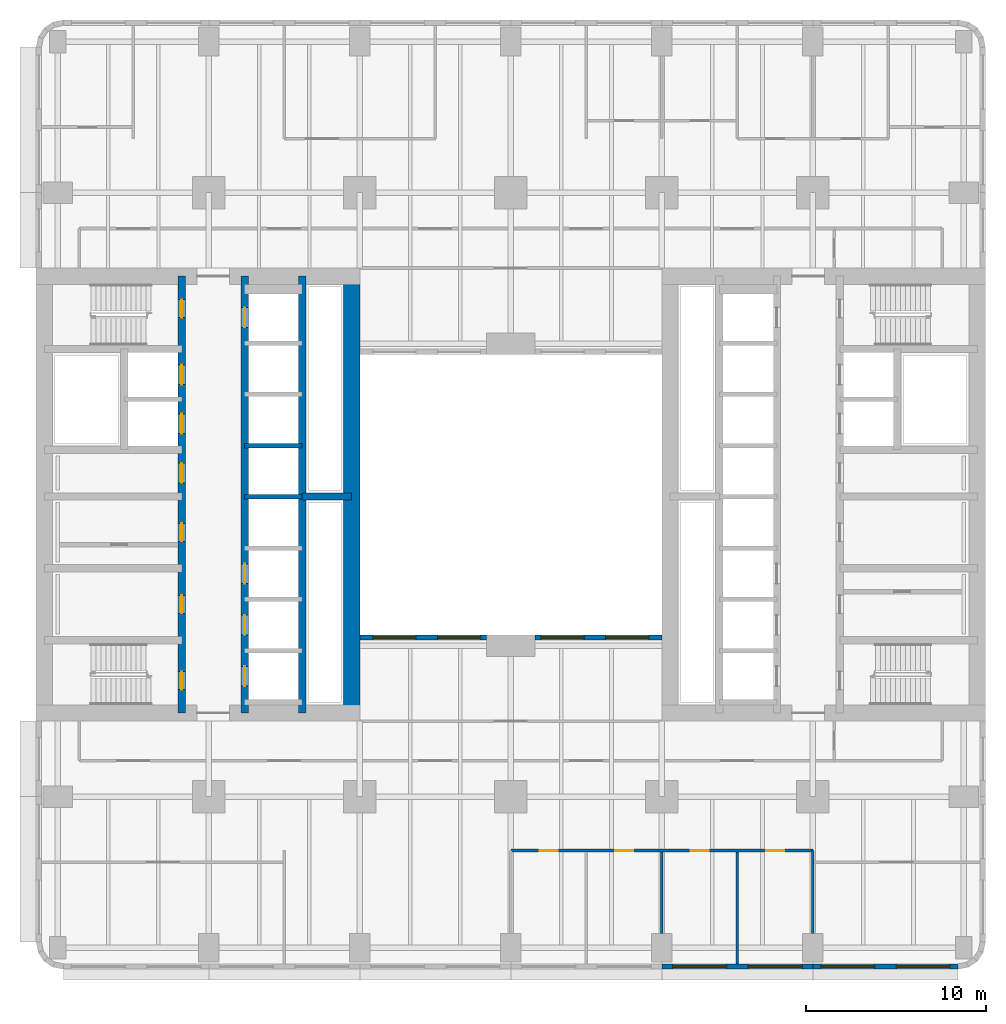
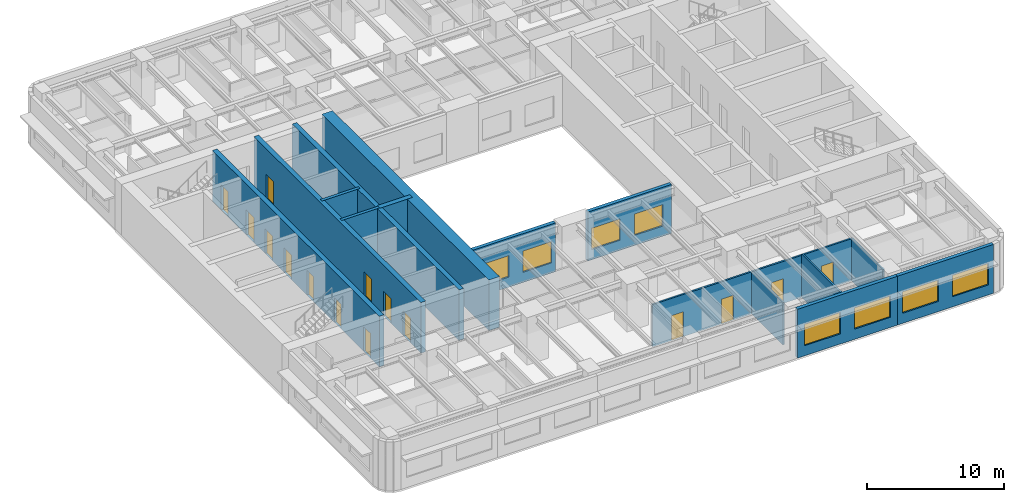
# One storey, part 4 of 14: 15 doors, 15 walls, 8 windows, 23 openings.
"""IFC4 building model written with IfcOpenShell, lengths in metres."""

from ifc_helpers import new_model, si_unit, direction, frame, frame_2d, origin, place, context, subcontext, project, spatial, rectangle, extrude, material, layer, layer_set, type_object, element, fill, save


model = new_model("IFC4")

# Units and contexts
model_context = context("Model", 3, precision=1e-05, world=origin(), true_north=direction((0.0, 1.0)))
body_context = subcontext(model_context, "Body", "Model", "MODEL_VIEW")
ifc_project = project(units=[si_unit("LENGTHUNIT", "METRE"), si_unit("AREAUNIT", "SQUARE_METRE"), si_unit("VOLUMEUNIT", "CUBIC_METRE"), si_unit("PLANEANGLEUNIT", "RADIAN"), si_unit("MASSUNIT", "GRAM", prefix="KILO")], contexts=[model_context])

# Site, building, storey
site_placement = place(None, origin())
site = spatial("IfcSite", under=ifc_project, at=site_placement, CompositionType="ELEMENT")
building_placement = place(site_placement, origin())
building = spatial("IfcBuilding", under=site, at=building_placement, Name="Claustro Exchange Tower", CompositionType="ELEMENT")
storey_placement = place(building_placement, frame((0.0, 0.0, 41.39990234375)))
storey = spatial("IfcBuildingStorey", under=building, at=storey_placement, Name="L09", CompositionType="ELEMENT", Elevation=41.39990234375)

# Wall, openings, doors
ifc_material_1 = material(Name="Gypsum board on steel studs", Category="steel")
ifc_layer_1 = layer(ifc_material_1, 0.14990234375)
ifc_layer_set_1 = layer_set([ifc_layer_1], Name="Gypsum board on steel studs")
wall_type_1 = type_object("IfcWallType", Name="P1 150 plasterboard partition", PredefinedType="PARTITIONING", material=ifc_layer_set_1)
wall_1_placement = place(storey_placement, frame((25.199951171875, 5.39990234375, 0.0), z_axis=(0.0, 0.0, 1.0), x_axis=(1.0, 0.0, 0.0)))
wall_1 = element("IfcWall", 1, at=wall_1_placement, inside=storey, type_object=wall_type_1, Name="Partition P1 L09", PredefinedType="PARTITIONING", context=body_context, shape_type="SweptSolid", body=[
    extrude(rectangle(XDim=16.800048828125, YDim=0.14990234375, at=frame_2d((8.39990234375, 0.0))), origin(), (0.0, 0.0, 1.0), 3.739990234375),
])
opening_1_placement = place(wall_1_placement, frame((1.60009765625, 0.0, 0.0)))
opening_1 = element("IfcOpeningElement", 2, at=opening_1_placement, cuts=wall_1, Name="Opening D1", PredefinedType="OPENING", context=body_context, shape_type="SweptSolid", body=[
    extrude(rectangle(XDim=1.0, YDim=2.199951171875, at=frame_2d((0.5, 1.10009765625))), frame((0.0, 0.0849609375, 0.0), z_axis=(0.0, -1.0, 0.0), x_axis=(1.0, 0.0, 0.0)), (0.0, 0.0, 1.0), 0.169921875),
])
opening_2_placement = place(wall_1_placement, frame((5.800048828125, 0.0, 0.0)))
opening_2 = element("IfcOpeningElement", 3, at=opening_2_placement, cuts=wall_1, Name="Opening D1", PredefinedType="OPENING", context=body_context, shape_type="SweptSolid", body=[
    extrude(rectangle(XDim=1.0, YDim=2.199951171875, at=frame_2d((0.5, 1.10009765625))), frame((0.0, 0.0849609375, 0.0), z_axis=(0.0, -1.0, 0.0), x_axis=(1.0, 0.0, 0.0)), (0.0, 0.0, 1.0), 0.169921875),
])
opening_3_placement = place(wall_1_placement, frame((10.0, 0.0, 0.0)))
opening_3 = element("IfcOpeningElement", 4, at=opening_3_placement, cuts=wall_1, Name="Opening D1", PredefinedType="OPENING", context=body_context, shape_type="SweptSolid", body=[
    extrude(rectangle(XDim=1.0, YDim=2.199951171875, at=frame_2d((0.5, 1.10009765625))), frame((0.0, 0.0849609375, 0.0), z_axis=(0.0, -1.0, 0.0), x_axis=(1.0, 0.0, 0.0)), (0.0, 0.0, 1.0), 0.169921875),
])
opening_4_placement = place(wall_1_placement, frame((14.199951171875, 0.0, 0.0)))
opening_4 = element("IfcOpeningElement", 5, at=opening_4_placement, cuts=wall_1, Name="Opening D1", PredefinedType="OPENING", context=body_context, shape_type="SweptSolid", body=[
    extrude(rectangle(XDim=1.0, YDim=2.199951171875, at=frame_2d((0.5, 1.10009765625))), frame((0.0, 0.0849609375, 0.0), z_axis=(0.0, -1.0, 0.0), x_axis=(1.0, 0.0, 0.0)), (0.0, 0.0, 1.0), 0.169921875),
])
ifc_material_2 = material(Name="Timber door, oak veneer", Category="wood")
door_type_1 = type_object("IfcDoorType", Name="D1 1000 x 2200 single door", OperationType="SINGLE_SWING_LEFT", PredefinedType="DOOR", material=ifc_material_2)
door_1_placement = place(opening_1_placement, frame((1.0, 0.0, 0.0), z_axis=(0.0, 0.0, 1.0), x_axis=(-1.0, 0.0, 0.0)))
door_1 = element("IfcDoor", 6, at=door_1_placement, inside=storey, type_object=door_type_1, Name="Door D1 L09", OperationType="SINGLE_SWING_LEFT", OverallHeight=2.199951171875, OverallWidth=1.0, PredefinedType="DOOR", context=body_context, shape_type="SweptSolid", body=[
    extrude(rectangle(XDim=1.0, YDim=2.199951171875, at=frame_2d((0.5, 1.10009765625))), frame((0.0, 0.02490234375, 0.0), z_axis=(0.0, -1.0, 0.0), x_axis=(1.0, 0.0, 0.0)), (0.0, 0.0, 1.0), 0.050048828125),
])
fill(opening_1, door_1)
door_2_placement = place(opening_2_placement, frame((1.0, 0.0, 0.0), z_axis=(0.0, 0.0, 1.0), x_axis=(-1.0, 0.0, 0.0)))
door_2 = element("IfcDoor", 7, at=door_2_placement, inside=storey, type_object=door_type_1, Name="Door D1 L09", OperationType="SINGLE_SWING_RIGHT", OverallHeight=2.199951171875, OverallWidth=1.0, PredefinedType="DOOR", context=body_context, shape_type="SweptSolid", body=[
    extrude(rectangle(XDim=1.0, YDim=2.199951171875, at=frame_2d((0.5, 1.10009765625))), frame((0.0, 0.02490234375, 0.0), z_axis=(0.0, -1.0, 0.0), x_axis=(1.0, 0.0, 0.0)), (0.0, 0.0, 1.0), 0.050048828125),
])
fill(opening_2, door_2)
door_3_placement = place(opening_3_placement, frame((1.0, 0.0, 0.0), z_axis=(0.0, 0.0, 1.0), x_axis=(-1.0, 0.0, 0.0)))
door_3 = element("IfcDoor", 8, at=door_3_placement, inside=storey, type_object=door_type_1, Name="Door D1 L09", OperationType="SINGLE_SWING_RIGHT", OverallHeight=2.199951171875, OverallWidth=1.0, PredefinedType="DOOR", context=body_context, shape_type="SweptSolid", body=[
    extrude(rectangle(XDim=1.0, YDim=2.199951171875, at=frame_2d((0.5, 1.10009765625))), frame((0.0, 0.02490234375, 0.0), z_axis=(0.0, -1.0, 0.0), x_axis=(1.0, 0.0, 0.0)), (0.0, 0.0, 1.0), 0.050048828125),
])
fill(opening_3, door_3)
door_4_placement = place(opening_4_placement, frame((1.0, 0.0, 0.0), z_axis=(0.0, 0.0, 1.0), x_axis=(-1.0, 0.0, 0.0)))
door_4 = element("IfcDoor", 9, at=door_4_placement, inside=storey, type_object=door_type_1, Name="Door D1 L09", OperationType="SINGLE_SWING_RIGHT", OverallHeight=2.199951171875, OverallWidth=1.0, PredefinedType="DOOR", context=body_context, shape_type="SweptSolid", body=[
    extrude(rectangle(XDim=1.0, YDim=2.199951171875, at=frame_2d((0.5, 1.10009765625))), frame((0.0, 0.02490234375, 0.0), z_axis=(0.0, -1.0, 0.0), x_axis=(1.0, 0.0, 0.0)), (0.0, 0.0, 1.0), 0.050048828125),
])
fill(opening_4, door_4)

# Walls
wall_2_placement = place(storey_placement, frame((33.60009765625, 0.799072265625, 0.0), z_axis=(0.0, 0.0, 1.0), x_axis=(0.0, 1.0, 0.0)))
element("IfcWall", 10, at=wall_2_placement, inside=storey, type_object=wall_type_1, Name="Partition P1 L09", PredefinedType="PARTITIONING", context=body_context, shape_type="SweptSolid", body=[
    extrude(rectangle(XDim=4.52685546875, YDim=0.14990234375, at=frame_2d((2.263427734375, 0.0))), origin(), (0.0, 0.0, 1.0), 3.739990234375),
])
wall_3_placement = place(storey_placement, frame((37.800048828125, -0.902099609375, 0.0), z_axis=(0.0, 0.0, 1.0), x_axis=(0.0, 1.0, 0.0)))
element("IfcWall", 11, at=wall_3_placement, inside=storey, type_object=wall_type_1, Name="Partition P1 L09", PredefinedType="PARTITIONING", context=body_context, shape_type="SweptSolid", body=[
    extrude(rectangle(XDim=6.22802734375, YDim=0.14990234375, at=frame_2d((3.114013671875, 0.0))), origin(), (0.0, 0.0, 1.0), 3.840087890625),
])
wall_4_placement = place(storey_placement, frame((42.0, 0.799072265625, 0.0), z_axis=(0.0, 0.0, 1.0), x_axis=(0.0, 1.0, 0.0)))
element("IfcWall", 12, at=wall_4_placement, inside=storey, type_object=wall_type_1, Name="Partition P1 L09", PredefinedType="PARTITIONING", context=body_context, shape_type="SweptSolid", body=[
    extrude(rectangle(XDim=4.600830078125, YDim=0.14990234375, at=frame_2d((2.30029296875, 0.0))), origin(), (0.0, 0.0, 1.0), 3.739990234375),
])

# Wall, openings, windows
ifc_material_3 = material(Name="Concrete HA-40 (C40/50), precast, white cement, acid-etched", Category="concrete")
ifc_layer_2 = layer(ifc_material_3, 0.300048828125)
ifc_layer_set_2 = layer_set([ifc_layer_2], Name="Concrete HA-40 (C40/50), precast, white cement, acid-etched")
wall_type_2 = type_object("IfcWallType", Name="PC1 300 precast concrete pier panel", PredefinedType="SOLIDWALL", material=ifc_layer_set_2)
wall_5_placement = place(storey_placement, frame((50.085205078125, -1.050048828125, 0.0), z_axis=(0.0, 0.0, 1.0), x_axis=(-1.0, 0.0, 0.0)))
wall_5 = element("IfcWall", 13, at=wall_5_placement, inside=storey, type_object=wall_type_2, Name="Precast pier panel PC1 L09", PredefinedType="SOLIDWALL", context=body_context, shape_type="SweptSolid", body=[
    extrude(rectangle(XDim=8.085205078125, YDim=0.300048828125, at=frame_2d((4.04248046875, 0.0))), origin(), (0.0, 0.0, 1.0), 4.340087890625),
])
opening_5_placement = place(wall_5_placement, frame((0.442626953125, 0.0, 0.89990234375)))
opening_5 = element("IfcOpeningElement", 14, at=opening_5_placement, cuts=wall_5, Name="Opening W1", PredefinedType="OPENING", context=body_context, shape_type="SweptSolid", body=[
    extrude(rectangle(XDim=3.0, YDim=1.89990234375, at=frame_2d((1.5, 0.949951171875))), frame((0.0, 0.159912109375, 0.0), z_axis=(0.0, -1.0, 0.0), x_axis=(1.0, 0.0, 0.0)), (0.0, 0.0, 1.0), 0.320068359375),
])
opening_6_placement = place(wall_5_placement, frame((4.642578125, 0.0, 0.89990234375)))
opening_6 = element("IfcOpeningElement", 15, at=opening_6_placement, cuts=wall_5, Name="Opening W1", PredefinedType="OPENING", context=body_context, shape_type="SweptSolid", body=[
    extrude(rectangle(XDim=3.0, YDim=1.89990234375, at=frame_2d((1.5, 0.949951171875))), frame((0.0, 0.159912109375, 0.0), z_axis=(0.0, -1.0, 0.0), x_axis=(1.0, 0.0, 0.0)), (0.0, 0.0, 1.0), 0.320068359375),
])
ifc_material_4 = material(Name="Aluminium frame, clear double glazing", Category="aluminium")
window_type_1 = type_object("IfcWindowType", Name="W1 3000 x 1900 window", PartitioningType="SINGLE_PANEL", PredefinedType="WINDOW", material=ifc_material_4)
window_1_placement = place(opening_5_placement, origin())
window_1 = element("IfcWindow", 16, at=window_1_placement, inside=storey, type_object=window_type_1, Name="Window W1 L09", OverallHeight=1.89990234375, OverallWidth=3.0, PartitioningType="SINGLE_PANEL", PredefinedType="WINDOW", context=body_context, shape_type="SweptSolid", body=[
    extrude(rectangle(XDim=3.0, YDim=1.89990234375, at=frame_2d((1.5, 0.949951171875))), frame((0.0, 0.030029296875, 0.0), z_axis=(0.0, -1.0, 0.0), x_axis=(1.0, 0.0, 0.0)), (0.0, 0.0, 1.0), 0.06005859375),
])
fill(opening_5, window_1)
window_2_placement = place(opening_6_placement, origin())
window_2 = element("IfcWindow", 17, at=window_2_placement, inside=storey, type_object=window_type_1, Name="Window W1 L09", OverallHeight=1.89990234375, OverallWidth=3.0, PartitioningType="SINGLE_PANEL", PredefinedType="WINDOW", context=body_context, shape_type="SweptSolid", body=[
    extrude(rectangle(XDim=3.0, YDim=1.89990234375, at=frame_2d((1.5, 0.949951171875))), frame((0.0, 0.030029296875, 0.0), z_axis=(0.0, -1.0, 0.0), x_axis=(1.0, 0.0, 0.0)), (0.0, 0.0, 1.0), 0.06005859375),
])
fill(opening_6, window_2)

wall_6_placement = place(storey_placement, frame((42.0, -1.050048828125, 0.0), z_axis=(0.0, 0.0, 1.0), x_axis=(-1.0, 0.0, 0.0)))
wall_6 = element("IfcWall", 18, at=wall_6_placement, inside=storey, type_object=wall_type_2, Name="Precast pier panel PC1 L09", PredefinedType="SOLIDWALL", context=body_context, shape_type="SweptSolid", body=[
    extrude(rectangle(XDim=8.39990234375, YDim=0.300048828125, at=frame_2d((4.199951171875, 0.0))), origin(), (0.0, 0.0, 1.0), 4.340087890625),
])
opening_7_placement = place(wall_6_placement, frame((0.60009765625, 0.0, 0.89990234375)))
opening_7 = element("IfcOpeningElement", 19, at=opening_7_placement, cuts=wall_6, Name="Opening W1", PredefinedType="OPENING", context=body_context, shape_type="SweptSolid", body=[
    extrude(rectangle(XDim=3.0, YDim=1.89990234375, at=frame_2d((1.5, 0.949951171875))), frame((0.0, 0.159912109375, 0.0), z_axis=(0.0, -1.0, 0.0), x_axis=(1.0, 0.0, 0.0)), (0.0, 0.0, 1.0), 0.320068359375),
])
opening_8_placement = place(wall_6_placement, frame((4.800048828125, 0.0, 0.89990234375)))
opening_8 = element("IfcOpeningElement", 20, at=opening_8_placement, cuts=wall_6, Name="Opening W1", PredefinedType="OPENING", context=body_context, shape_type="SweptSolid", body=[
    extrude(rectangle(XDim=3.0, YDim=1.89990234375, at=frame_2d((1.5, 0.949951171875))), frame((0.0, 0.159912109375, 0.0), z_axis=(0.0, -1.0, 0.0), x_axis=(1.0, 0.0, 0.0)), (0.0, 0.0, 1.0), 0.320068359375),
])
window_3_placement = place(opening_7_placement, origin())
window_3 = element("IfcWindow", 21, at=window_3_placement, inside=storey, type_object=window_type_1, Name="Window W1 L09", OverallHeight=1.89990234375, OverallWidth=3.0, PartitioningType="SINGLE_PANEL", PredefinedType="WINDOW", context=body_context, shape_type="SweptSolid", body=[
    extrude(rectangle(XDim=3.0, YDim=1.89990234375, at=frame_2d((1.5, 0.949951171875))), frame((0.0, 0.030029296875, 0.0), z_axis=(0.0, -1.0, 0.0), x_axis=(1.0, 0.0, 0.0)), (0.0, 0.0, 1.0), 0.06005859375),
])
fill(opening_7, window_3)
window_4_placement = place(opening_8_placement, origin())
window_4 = element("IfcWindow", 22, at=window_4_placement, inside=storey, type_object=window_type_1, Name="Window W1 L09", OverallHeight=1.89990234375, OverallWidth=3.0, PartitioningType="SINGLE_PANEL", PredefinedType="WINDOW", context=body_context, shape_type="SweptSolid", body=[
    extrude(rectangle(XDim=3.0, YDim=1.89990234375, at=frame_2d((1.5, 0.949951171875))), frame((0.0, 0.030029296875, 0.0), z_axis=(0.0, -1.0, 0.0), x_axis=(1.0, 0.0, 0.0)), (0.0, 0.0, 1.0), 0.06005859375),
])
fill(opening_8, window_4)

wall_7_placement = place(storey_placement, frame((16.800048828125, 17.25, 0.0), z_axis=(0.0, 0.0, 1.0), x_axis=(1.0, 0.0, 0.0)))
wall_7 = element("IfcWall", 23, at=wall_7_placement, inside=storey, type_object=wall_type_2, Name="Precast pier panel PC1 L09", PredefinedType="SOLIDWALL", context=body_context, shape_type="SweptSolid", body=[
    extrude(rectangle(XDim=7.050048828125, YDim=0.300048828125, at=frame_2d((3.52490234375, 0.0))), origin(), (0.0, 0.0, 1.0), 4.340087890625),
])
opening_9_placement = place(wall_7_placement, frame((0.72509765625, 0.0, 0.89990234375)))
opening_9 = element("IfcOpeningElement", 24, at=opening_9_placement, cuts=wall_7, Name="Opening W2", PredefinedType="OPENING", context=body_context, shape_type="SweptSolid", body=[
    extrude(rectangle(XDim=2.39990234375, YDim=1.89990234375, at=frame_2d((1.199951171875, 0.949951171875))), frame((0.0, 0.159912109375, 0.0), z_axis=(0.0, -1.0, 0.0), x_axis=(1.0, 0.0, 0.0)), (0.0, 0.0, 1.0), 0.320068359375),
])
opening_10_placement = place(wall_7_placement, frame((4.324951171875, 0.0, 0.89990234375)))
opening_10 = element("IfcOpeningElement", 25, at=opening_10_placement, cuts=wall_7, Name="Opening W2", PredefinedType="OPENING", context=body_context, shape_type="SweptSolid", body=[
    extrude(rectangle(XDim=2.39990234375, YDim=1.89990234375, at=frame_2d((1.199951171875, 0.949951171875))), frame((0.0, 0.159912109375, 0.0), z_axis=(0.0, -1.0, 0.0), x_axis=(1.0, 0.0, 0.0)), (0.0, 0.0, 1.0), 0.320068359375),
])
ifc_material_5 = material(Name="Aluminium frame, clear double glazing", Category="aluminium")
window_type_2 = type_object("IfcWindowType", Name="W2 2400 x 1900 window", PartitioningType="SINGLE_PANEL", PredefinedType="WINDOW", material=ifc_material_5)
window_5_placement = place(opening_9_placement, origin())
window_5 = element("IfcWindow", 26, at=window_5_placement, inside=storey, type_object=window_type_2, Name="Window W2 L09", OverallHeight=1.89990234375, OverallWidth=2.39990234375, PartitioningType="SINGLE_PANEL", PredefinedType="WINDOW", context=body_context, shape_type="SweptSolid", body=[
    extrude(rectangle(XDim=2.39990234375, YDim=1.89990234375, at=frame_2d((1.199951171875, 0.949951171875))), frame((0.0, 0.030029296875, 0.0), z_axis=(0.0, -1.0, 0.0), x_axis=(1.0, 0.0, 0.0)), (0.0, 0.0, 1.0), 0.06005859375),
])
fill(opening_9, window_5)
window_6_placement = place(opening_10_placement, origin())
window_6 = element("IfcWindow", 27, at=window_6_placement, inside=storey, type_object=window_type_2, Name="Window W2 L09", OverallHeight=1.89990234375, OverallWidth=2.39990234375, PartitioningType="SINGLE_PANEL", PredefinedType="WINDOW", context=body_context, shape_type="SweptSolid", body=[
    extrude(rectangle(XDim=2.39990234375, YDim=1.89990234375, at=frame_2d((1.199951171875, 0.949951171875))), frame((0.0, 0.030029296875, 0.0), z_axis=(0.0, -1.0, 0.0), x_axis=(1.0, 0.0, 0.0)), (0.0, 0.0, 1.0), 0.06005859375),
])
fill(opening_10, window_6)

wall_8_placement = place(storey_placement, frame((26.550048828125, 17.25, 0.0), z_axis=(0.0, 0.0, 1.0), x_axis=(1.0, 0.0, 0.0)))
wall_8 = element("IfcWall", 28, at=wall_8_placement, inside=storey, type_object=wall_type_2, Name="Precast pier panel PC1 L09", PredefinedType="SOLIDWALL", context=body_context, shape_type="SweptSolid", body=[
    extrude(rectangle(XDim=7.050048828125, YDim=0.300048828125, at=frame_2d((3.52490234375, 0.0))), origin(), (0.0, 0.0, 1.0), 4.340087890625),
])
opening_11_placement = place(wall_8_placement, frame((0.324951171875, 0.0, 0.89990234375)))
opening_11 = element("IfcOpeningElement", 29, at=opening_11_placement, cuts=wall_8, Name="Opening W2", PredefinedType="OPENING", context=body_context, shape_type="SweptSolid", body=[
    extrude(rectangle(XDim=2.39990234375, YDim=1.89990234375, at=frame_2d((1.199951171875, 0.949951171875))), frame((0.0, 0.159912109375, 0.0), z_axis=(0.0, -1.0, 0.0), x_axis=(1.0, 0.0, 0.0)), (0.0, 0.0, 1.0), 0.320068359375),
])
opening_12_placement = place(wall_8_placement, frame((3.925048828125, 0.0, 0.89990234375)))
opening_12 = element("IfcOpeningElement", 30, at=opening_12_placement, cuts=wall_8, Name="Opening W2", PredefinedType="OPENING", context=body_context, shape_type="SweptSolid", body=[
    extrude(rectangle(XDim=2.39990234375, YDim=1.89990234375, at=frame_2d((1.199951171875, 0.949951171875))), frame((0.0, 0.159912109375, 0.0), z_axis=(0.0, -1.0, 0.0), x_axis=(1.0, 0.0, 0.0)), (0.0, 0.0, 1.0), 0.320068359375),
])
window_7_placement = place(opening_11_placement, origin())
window_7 = element("IfcWindow", 31, at=window_7_placement, inside=storey, type_object=window_type_2, Name="Window W2 L09", OverallHeight=1.89990234375, OverallWidth=2.39990234375, PartitioningType="SINGLE_PANEL", PredefinedType="WINDOW", context=body_context, shape_type="SweptSolid", body=[
    extrude(rectangle(XDim=2.39990234375, YDim=1.89990234375, at=frame_2d((1.199951171875, 0.949951171875))), frame((0.0, 0.030029296875, 0.0), z_axis=(0.0, -1.0, 0.0), x_axis=(1.0, 0.0, 0.0)), (0.0, 0.0, 1.0), 0.06005859375),
])
fill(opening_11, window_7)
window_8_placement = place(opening_12_placement, origin())
window_8 = element("IfcWindow", 32, at=window_8_placement, inside=storey, type_object=window_type_2, Name="Window W2 L09", OverallHeight=1.89990234375, OverallWidth=2.39990234375, PartitioningType="SINGLE_PANEL", PredefinedType="WINDOW", context=body_context, shape_type="SweptSolid", body=[
    extrude(rectangle(XDim=2.39990234375, YDim=1.89990234375, at=frame_2d((1.199951171875, 0.949951171875))), frame((0.0, 0.030029296875, 0.0), z_axis=(0.0, -1.0, 0.0), x_axis=(1.0, 0.0, 0.0)), (0.0, 0.0, 1.0), 0.06005859375),
])
fill(opening_12, window_8)

# Wall
ifc_material_6 = material(Name="Concrete HA-70 (C70/85)", Category="concrete")
ifc_layer_3 = layer(ifc_material_6, 0.89990234375)
ifc_layer_set_3 = layer_set([ifc_layer_3], Name="Concrete HA-70 (C70/85)")
wall_type_3 = type_object("IfcWallType", Name="SW1X 900 exposed core shear wall, board-marked face", PredefinedType="SHEAR", material=ifc_layer_set_3)
wall_9_placement = place(storey_placement, frame((16.35009765625, 13.050048828125, 0.0), z_axis=(0.0, 0.0, 1.0), x_axis=(0.0, 1.0, 0.0)))
element("IfcWall", 33, at=wall_9_placement, inside=storey, type_object=wall_type_3, Name="Core wall SW1X W core E face L09", PredefinedType="SHEAR", context=body_context, shape_type="SweptSolid", body=[
    extrude(rectangle(XDim=24.300048828125, YDim=0.89990234375, at=frame_2d((12.14990234375, 0.0))), origin(), (0.0, 0.0, 1.0), 4.5),
])

# Wall, openings, doors
ifc_material_7 = material(Name="Concrete HA-50 (C50/60)", Category="concrete")
ifc_layer_4 = layer(ifc_material_7, 0.39990234375)
ifc_layer_set_4 = layer_set([ifc_layer_4], Name="Concrete HA-50 (C50/60)")
wall_type_4 = type_object("IfcWallType", Name="SW4 400 internal core wall", PredefinedType="SHEAR", material=ifc_layer_set_4)
wall_10_placement = place(storey_placement, frame((6.89990234375, 13.050048828125, 0.0), z_axis=(0.0, 0.0, 1.0), x_axis=(0.0, 1.0, 0.0)))
wall_10 = element("IfcWall", 34, at=wall_10_placement, inside=storey, type_object=wall_type_4, Name="Internal core wall SW4 W core L09", PredefinedType="SHEAR", context=body_context, shape_type="SweptSolid", body=[
    extrude(rectangle(XDim=24.300048828125, YDim=0.39990234375, at=frame_2d((12.14990234375, 0.0))), origin(), (0.0, 0.0, 1.0), 4.5),
])
opening_13_placement = place(wall_10_placement, frame((1.300048828125, 0.0, 0.0)))
opening_13 = element("IfcOpeningElement", 35, at=opening_13_placement, cuts=wall_10, Name="Opening D4", PredefinedType="OPENING", context=body_context, shape_type="SweptSolid", body=[
    extrude(rectangle(XDim=1.0, YDim=2.199951171875, at=frame_2d((0.5, 1.10009765625))), frame((0.0, 0.2099609375, 0.0), z_axis=(0.0, -1.0, 0.0), x_axis=(1.0, 0.0, 0.0)), (0.0, 0.0, 1.0), 0.419921875),
])
opening_14_placement = place(wall_10_placement, frame((22.0, 0.0, 0.0)))
opening_14 = element("IfcOpeningElement", 36, at=opening_14_placement, cuts=wall_10, Name="Opening D4", PredefinedType="OPENING", context=body_context, shape_type="SweptSolid", body=[
    extrude(rectangle(XDim=1.0, YDim=2.199951171875, at=frame_2d((0.5, 1.10009765625))), frame((0.0, 0.2099609375, 0.0), z_axis=(0.0, -1.0, 0.0), x_axis=(1.0, 0.0, 0.0)), (0.0, 0.0, 1.0), 0.419921875),
])
opening_15_placement = place(wall_10_placement, frame((5.550048828125, 0.0, 0.0)))
opening_15 = element("IfcOpeningElement", 37, at=opening_15_placement, cuts=wall_10, Name="Opening D1", PredefinedType="OPENING", context=body_context, shape_type="SweptSolid", body=[
    extrude(rectangle(XDim=1.0, YDim=2.199951171875, at=frame_2d((0.5, 1.10009765625))), frame((0.0, 0.2099609375, 0.0), z_axis=(0.0, -1.0, 0.0), x_axis=(1.0, 0.0, 0.0)), (0.0, 0.0, 1.0), 0.419921875),
])
opening_16_placement = place(wall_10_placement, frame((9.550048828125, 0.0, 0.0)))
opening_16 = element("IfcOpeningElement", 38, at=opening_16_placement, cuts=wall_10, Name="Opening D1", PredefinedType="OPENING", context=body_context, shape_type="SweptSolid", body=[
    extrude(rectangle(XDim=1.0, YDim=2.199951171875, at=frame_2d((0.5, 1.10009765625))), frame((0.0, 0.2099609375, 0.0), z_axis=(0.0, -1.0, 0.0), x_axis=(1.0, 0.0, 0.0)), (0.0, 0.0, 1.0), 0.419921875),
])
opening_17_placement = place(wall_10_placement, frame((12.800048828125, 0.0, 0.0)))
opening_17 = element("IfcOpeningElement", 39, at=opening_17_placement, cuts=wall_10, Name="Opening D10", PredefinedType="OPENING", context=body_context, shape_type="SweptSolid", body=[
    extrude(rectangle(XDim=1.10009765625, YDim=2.199951171875, at=frame_2d((0.550048828125, 1.10009765625))), frame((0.0, 0.2099609375, 0.0), z_axis=(0.0, -1.0, 0.0), x_axis=(1.0, 0.0, 0.0)), (0.0, 0.0, 1.0), 0.419921875),
])
opening_18_placement = place(wall_10_placement, frame((15.53759765625, 0.0, 0.0)))
opening_18 = element("IfcOpeningElement", 40, at=opening_18_placement, cuts=wall_10, Name="Opening LD", PredefinedType="OPENING", context=body_context, shape_type="SweptSolid", body=[
    extrude(rectangle(XDim=1.10009765625, YDim=2.199951171875, at=frame_2d((0.550048828125, 1.10009765625))), frame((0.0, 0.2099609375, 0.0), z_axis=(0.0, -1.0, 0.0), x_axis=(1.0, 0.0, 0.0)), (0.0, 0.0, 1.0), 0.419921875),
])
opening_19_placement = place(wall_10_placement, frame((18.262451171875, 0.0, 0.0)))
opening_19 = element("IfcOpeningElement", 41, at=opening_19_placement, cuts=wall_10, Name="Opening LD", PredefinedType="OPENING", context=body_context, shape_type="SweptSolid", body=[
    extrude(rectangle(XDim=1.10009765625, YDim=2.199951171875, at=frame_2d((0.550048828125, 1.10009765625))), frame((0.0, 0.2099609375, 0.0), z_axis=(0.0, -1.0, 0.0), x_axis=(1.0, 0.0, 0.0)), (0.0, 0.0, 1.0), 0.419921875),
])
door_5_placement = place(opening_15_placement, origin())
door_5 = element("IfcDoor", 42, at=door_5_placement, inside=storey, type_object=door_type_1, Name="Door D1 L09", OperationType="SINGLE_SWING_RIGHT", OverallHeight=2.199951171875, OverallWidth=1.0, PredefinedType="DOOR", context=body_context, shape_type="SweptSolid", body=[
    extrude(rectangle(XDim=1.0, YDim=2.199951171875, at=frame_2d((0.5, 1.10009765625))), frame((0.0, 0.02490234375, 0.0), z_axis=(0.0, -1.0, 0.0), x_axis=(1.0, 0.0, 0.0)), (0.0, 0.0, 1.0), 0.050048828125),
])
fill(opening_15, door_5)
door_6_placement = place(opening_16_placement, origin())
door_6 = element("IfcDoor", 43, at=door_6_placement, inside=storey, type_object=door_type_1, Name="Door D1 L09", OperationType="SINGLE_SWING_LEFT", OverallHeight=2.199951171875, OverallWidth=1.0, PredefinedType="DOOR", context=body_context, shape_type="SweptSolid", body=[
    extrude(rectangle(XDim=1.0, YDim=2.199951171875, at=frame_2d((0.5, 1.10009765625))), frame((0.0, 0.02490234375, 0.0), z_axis=(0.0, -1.0, 0.0), x_axis=(1.0, 0.0, 0.0)), (0.0, 0.0, 1.0), 0.050048828125),
])
fill(opening_16, door_6)
ifc_material_8 = material(Name="Timber door, oak veneer", Category="wood")
door_type_2 = type_object("IfcDoorType", Name="D10 1100 x 2200 accessible WC door", OperationType="SINGLE_SWING_LEFT", PredefinedType="DOOR", material=ifc_material_8)
door_7_placement = place(opening_17_placement, frame((1.10009765625, 0.0, 0.0), z_axis=(0.0, 0.0, 1.0), x_axis=(-1.0, 0.0, 0.0)))
door_7 = element("IfcDoor", 44, at=door_7_placement, inside=storey, type_object=door_type_2, Name="Accessible WC door D10 L09", OperationType="SINGLE_SWING_LEFT", OverallHeight=2.199951171875, OverallWidth=1.10009765625, PredefinedType="DOOR", context=body_context, shape_type="SweptSolid", body=[
    extrude(rectangle(XDim=1.10009765625, YDim=2.199951171875, at=frame_2d((0.550048828125, 1.10009765625))), frame((0.0, 0.02490234375, 0.0), z_axis=(0.0, -1.0, 0.0), x_axis=(1.0, 0.0, 0.0)), (0.0, 0.0, 1.0), 0.050048828125),
])
fill(opening_17, door_7)
ifc_material_9 = material(Name="Steel fire door, painted", Category="steel")
door_type_3 = type_object("IfcDoorType", Name="D4 1000 x 2200 fire-rated stair door", OperationType="SINGLE_SWING_LEFT", PredefinedType="DOOR", material=ifc_material_9)
door_8_placement = place(opening_13_placement, origin())
door_8 = element("IfcDoor", 45, at=door_8_placement, inside=storey, type_object=door_type_3, Name="Stair door D4 L09", OperationType="SINGLE_SWING_LEFT", OverallHeight=2.199951171875, OverallWidth=1.0, PredefinedType="DOOR", context=body_context, shape_type="SweptSolid", body=[
    extrude(rectangle(XDim=1.0, YDim=2.199951171875, at=frame_2d((0.5, 1.10009765625))), frame((0.0, 0.02490234375, 0.0), z_axis=(0.0, -1.0, 0.0), x_axis=(1.0, 0.0, 0.0)), (0.0, 0.0, 1.0), 0.050048828125),
])
fill(opening_13, door_8)
door_9_placement = place(opening_14_placement, origin())
door_9 = element("IfcDoor", 46, at=door_9_placement, inside=storey, type_object=door_type_3, Name="Stair door D4 L09", OperationType="SINGLE_SWING_RIGHT", OverallHeight=2.199951171875, OverallWidth=1.0, PredefinedType="DOOR", context=body_context, shape_type="SweptSolid", body=[
    extrude(rectangle(XDim=1.0, YDim=2.199951171875, at=frame_2d((0.5, 1.10009765625))), frame((0.0, 0.02490234375, 0.0), z_axis=(0.0, -1.0, 0.0), x_axis=(1.0, 0.0, 0.0)), (0.0, 0.0, 1.0), 0.050048828125),
])
fill(opening_14, door_9)
ifc_material_10 = material(Name="Stainless steel sliding door", Category="steel")
door_type_4 = type_object("IfcDoorType", Name="LD 1100 x 2200 lift landing door", OperationType="DOUBLE_DOOR_SLIDING", PredefinedType="DOOR", material=ifc_material_10)
door_10_placement = place(opening_18_placement, origin())
door_10 = element("IfcDoor", 47, at=door_10_placement, inside=storey, type_object=door_type_4, Name="Lift landing door LEW1 LD L09", OperationType="DOUBLE_DOOR_SLIDING", OverallHeight=2.199951171875, OverallWidth=1.10009765625, PredefinedType="DOOR", context=body_context, shape_type="SweptSolid", body=[
    extrude(rectangle(XDim=1.10009765625, YDim=2.199951171875, at=frame_2d((0.550048828125, 1.10009765625))), frame((0.0, 0.02490234375, 0.0), z_axis=(0.0, -1.0, 0.0), x_axis=(1.0, 0.0, 0.0)), (0.0, 0.0, 1.0), 0.050048828125),
])
fill(opening_18, door_10)
door_11_placement = place(opening_19_placement, origin())
door_11 = element("IfcDoor", 48, at=door_11_placement, inside=storey, type_object=door_type_4, Name="Lift landing door LEW2 LD L09", OperationType="DOUBLE_DOOR_SLIDING", OverallHeight=2.199951171875, OverallWidth=1.10009765625, PredefinedType="DOOR", context=body_context, shape_type="SweptSolid", body=[
    extrude(rectangle(XDim=1.10009765625, YDim=2.199951171875, at=frame_2d((0.550048828125, 1.10009765625))), frame((0.0, 0.02490234375, 0.0), z_axis=(0.0, -1.0, 0.0), x_axis=(1.0, 0.0, 0.0)), (0.0, 0.0, 1.0), 0.050048828125),
])
fill(opening_19, door_11)

wall_11_placement = place(storey_placement, frame((10.39990234375, 13.050048828125, 0.0), z_axis=(0.0, 0.0, 1.0), x_axis=(0.0, 1.0, 0.0)))
wall_11 = element("IfcWall", 49, at=wall_11_placement, inside=storey, type_object=wall_type_4, Name="Internal core wall SW4 W core L09", PredefinedType="SHEAR", context=body_context, shape_type="SweptSolid", body=[
    extrude(rectangle(XDim=24.300048828125, YDim=0.39990234375, at=frame_2d((12.14990234375, 0.0))), origin(), (0.0, 0.0, 1.0), 4.5),
])
opening_20_placement = place(wall_11_placement, frame((1.5, 0.0, 0.0)))
opening_20 = element("IfcOpeningElement", 50, at=opening_20_placement, cuts=wall_11, Name="Opening LD", PredefinedType="OPENING", context=body_context, shape_type="SweptSolid", body=[
    extrude(rectangle(XDim=1.10009765625, YDim=2.199951171875, at=frame_2d((0.550048828125, 1.10009765625))), frame((0.0, 0.2099609375, 0.0), z_axis=(0.0, -1.0, 0.0), x_axis=(1.0, 0.0, 0.0)), (0.0, 0.0, 1.0), 0.419921875),
])
opening_21_placement = place(wall_11_placement, frame((4.35009765625, 0.0, 0.0)))
opening_21 = element("IfcOpeningElement", 51, at=opening_21_placement, cuts=wall_11, Name="Opening LD", PredefinedType="OPENING", context=body_context, shape_type="SweptSolid", body=[
    extrude(rectangle(XDim=1.10009765625, YDim=2.199951171875, at=frame_2d((0.550048828125, 1.10009765625))), frame((0.0, 0.2099609375, 0.0), z_axis=(0.0, -1.0, 0.0), x_axis=(1.0, 0.0, 0.0)), (0.0, 0.0, 1.0), 0.419921875),
])
opening_22_placement = place(wall_11_placement, frame((7.199951171875, 0.0, 0.0)))
opening_22 = element("IfcOpeningElement", 52, at=opening_22_placement, cuts=wall_11, Name="Opening LD", PredefinedType="OPENING", context=body_context, shape_type="SweptSolid", body=[
    extrude(rectangle(XDim=1.10009765625, YDim=2.199951171875, at=frame_2d((0.550048828125, 1.10009765625))), frame((0.0, 0.2099609375, 0.0), z_axis=(0.0, -1.0, 0.0), x_axis=(1.0, 0.0, 0.0)), (0.0, 0.0, 1.0), 0.419921875),
])
opening_23_placement = place(wall_11_placement, frame((21.449951171875, 0.0, 0.0)))
opening_23 = element("IfcOpeningElement", 53, at=opening_23_placement, cuts=wall_11, Name="Opening LD", PredefinedType="OPENING", context=body_context, shape_type="SweptSolid", body=[
    extrude(rectangle(XDim=1.10009765625, YDim=2.199951171875, at=frame_2d((0.550048828125, 1.10009765625))), frame((0.0, 0.2099609375, 0.0), z_axis=(0.0, -1.0, 0.0), x_axis=(1.0, 0.0, 0.0)), (0.0, 0.0, 1.0), 0.419921875),
])
door_12_placement = place(opening_20_placement, origin())
door_12 = element("IfcDoor", 54, at=door_12_placement, inside=storey, type_object=door_type_4, Name="Lift landing door LLW1 LD L09", OperationType="DOUBLE_DOOR_SLIDING", OverallHeight=2.199951171875, OverallWidth=1.10009765625, PredefinedType="DOOR", context=body_context, shape_type="SweptSolid", body=[
    extrude(rectangle(XDim=1.10009765625, YDim=2.199951171875, at=frame_2d((0.550048828125, 1.10009765625))), frame((0.0, 0.02490234375, 0.0), z_axis=(0.0, -1.0, 0.0), x_axis=(1.0, 0.0, 0.0)), (0.0, 0.0, 1.0), 0.050048828125),
])
fill(opening_20, door_12)
door_13_placement = place(opening_21_placement, origin())
door_13 = element("IfcDoor", 55, at=door_13_placement, inside=storey, type_object=door_type_4, Name="Lift landing door LLW2 LD L09", OperationType="DOUBLE_DOOR_SLIDING", OverallHeight=2.199951171875, OverallWidth=1.10009765625, PredefinedType="DOOR", context=body_context, shape_type="SweptSolid", body=[
    extrude(rectangle(XDim=1.10009765625, YDim=2.199951171875, at=frame_2d((0.550048828125, 1.10009765625))), frame((0.0, 0.02490234375, 0.0), z_axis=(0.0, -1.0, 0.0), x_axis=(1.0, 0.0, 0.0)), (0.0, 0.0, 1.0), 0.050048828125),
])
fill(opening_21, door_13)
door_14_placement = place(opening_22_placement, origin())
door_14 = element("IfcDoor", 56, at=door_14_placement, inside=storey, type_object=door_type_4, Name="Lift landing door LLW3 LD L09", OperationType="DOUBLE_DOOR_SLIDING", OverallHeight=2.199951171875, OverallWidth=1.10009765625, PredefinedType="DOOR", context=body_context, shape_type="SweptSolid", body=[
    extrude(rectangle(XDim=1.10009765625, YDim=2.199951171875, at=frame_2d((0.550048828125, 1.10009765625))), frame((0.0, 0.02490234375, 0.0), z_axis=(0.0, -1.0, 0.0), x_axis=(1.0, 0.0, 0.0)), (0.0, 0.0, 1.0), 0.050048828125),
])
fill(opening_22, door_14)
door_15_placement = place(opening_23_placement, origin())
door_15 = element("IfcDoor", 57, at=door_15_placement, inside=storey, type_object=door_type_4, Name="Lift landing door LSW1 LD L09", OperationType="DOUBLE_DOOR_SLIDING", OverallHeight=2.199951171875, OverallWidth=1.10009765625, PredefinedType="DOOR", context=body_context, shape_type="SweptSolid", body=[
    extrude(rectangle(XDim=1.10009765625, YDim=2.199951171875, at=frame_2d((0.550048828125, 1.10009765625))), frame((0.0, 0.02490234375, 0.0), z_axis=(0.0, -1.0, 0.0), x_axis=(1.0, 0.0, 0.0)), (0.0, 0.0, 1.0), 0.050048828125),
])
fill(opening_23, door_15)

# Walls
wall_12_placement = place(storey_placement, frame((13.60009765625, 13.050048828125, 0.0), z_axis=(0.0, 0.0, 1.0), x_axis=(0.0, 1.0, 0.0)))
element("IfcWall", 58, at=wall_12_placement, inside=storey, type_object=wall_type_4, Name="Internal core wall SW4 W core L09", PredefinedType="SHEAR", context=body_context, shape_type="SweptSolid", body=[
    extrude(rectangle(XDim=24.300048828125, YDim=0.39990234375, at=frame_2d((12.14990234375, 0.0))), origin(), (0.0, 0.0, 1.0), 4.5),
])
wall_13_placement = place(storey_placement, frame((13.60009765625, 25.10009765625, 0.0), z_axis=(0.0, 0.0, 1.0), x_axis=(1.0, 0.0, 0.0)))
element("IfcWall", 59, at=wall_13_placement, inside=storey, type_object=wall_type_4, Name="Internal core wall SW4 W core L09", PredefinedType="SHEAR", context=body_context, shape_type="SweptSolid", body=[
    extrude(rectangle(XDim=2.75, YDim=0.39990234375, at=frame_2d((1.375, 0.0))), origin(), (0.0, 0.0, 1.0), 4.5),
])
ifc_material_11 = material(Name="Concrete HA-50 (C50/60)", Category="concrete")
ifc_layer_5 = layer(ifc_material_11, 0.25)
ifc_layer_set_5 = layer_set([ifc_layer_5], Name="Concrete HA-50 (C50/60)")
wall_type_5 = type_object("IfcWallType", Name="SW5 250 lift shaft divider wall", PredefinedType="SHEAR", material=ifc_layer_set_5)
for number, where, z_axis, x_axis, name in (
    (60, (10.39990234375, 25.074951171875, 0.0), (0.0, 0.0, 1.0), (1.0, 0.0, 0.0), "Lift shaft wall W core L09"),
    (61, (10.39990234375, 27.925048828125, 0.0), (0.0, 0.0, 1.0), (1.0, 0.0, 0.0), "Lift shaft wall W core L09"),
):
    element("IfcWall", number, at=place(storey_placement, frame(where, z_axis=z_axis, x_axis=x_axis)), inside=storey, type_object=wall_type_5, Name=name, PredefinedType="SHEAR", context=body_context, shape_type="SweptSolid", body=[
        extrude(rectangle(XDim=3.2001953125, YDim=0.25, at=frame_2d((1.60009765625, 0.0))), origin(), (0.0, 0.0, 1.0), 4.5),
    ])

save(model, "model.ifc")
